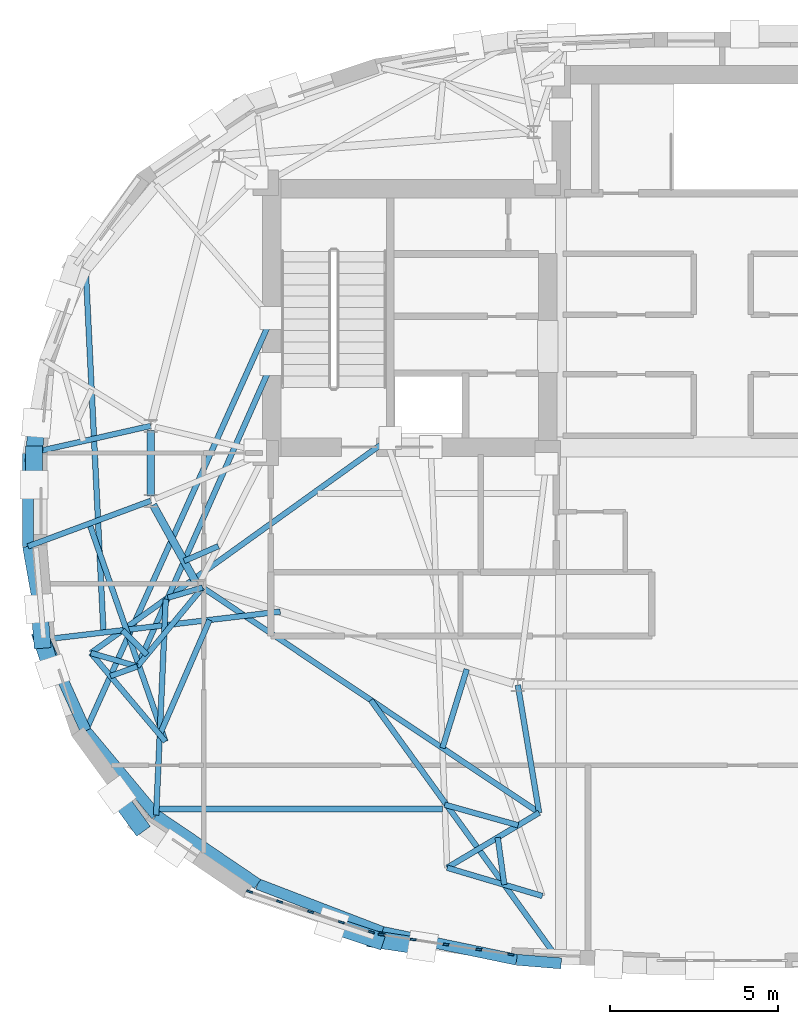
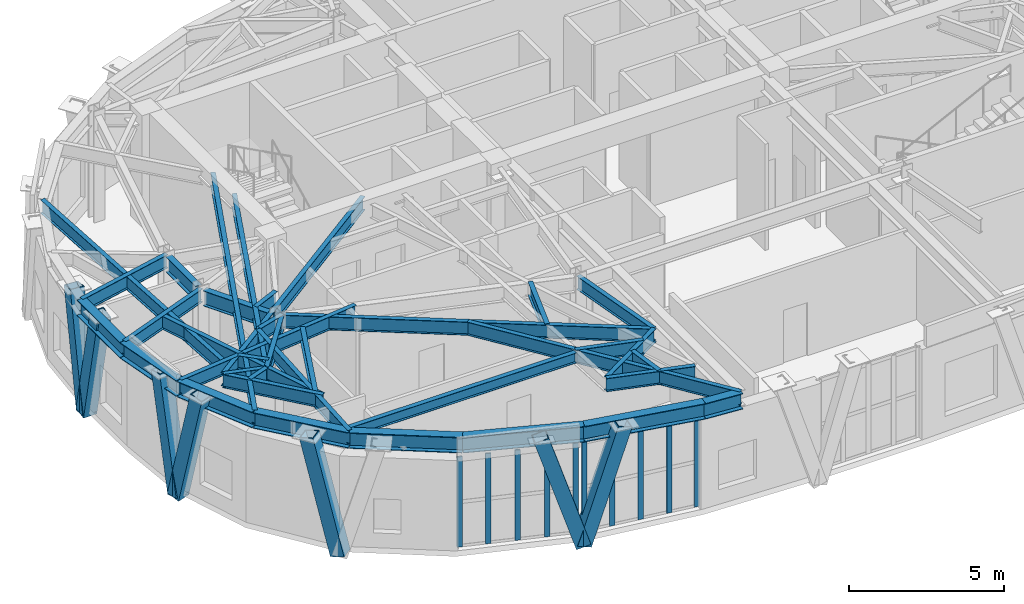
# One storey, part 2 of 16: 36 beams, 17 members, 2 elements without a shape of their own.
"""IFC4 building model written with IfcOpenShell, lengths in metres."""

from ifc_helpers import new_model, si_unit, direction, frame, origin, origin_2d, place, context, subcontext, project, spatial, rectangle, hollow_rectangle, i_section, extrude, material, layer, layer_set, material_profile, profile_set, type_object, element, aggregate, save


model = new_model("IFC4")

# Units and contexts
model_context = context("Model", 3, precision=1e-05, world=origin(), true_north=direction((0.0, 1.0)))
body_context = subcontext(model_context, "Body", "Model", "MODEL_VIEW")
ifc_project = project(units=[si_unit("LENGTHUNIT", "METRE"), si_unit("AREAUNIT", "SQUARE_METRE"), si_unit("VOLUMEUNIT", "CUBIC_METRE"), si_unit("PLANEANGLEUNIT", "RADIAN"), si_unit("MASSUNIT", "GRAM", prefix="KILO")], contexts=[model_context])

# Site, building, storey
site_placement = place(None, origin())
site = spatial("IfcSite", under=ifc_project, at=site_placement, CompositionType="ELEMENT")
building_placement = place(site_placement, origin())
building = spatial("IfcBuilding", under=site, at=building_placement, Name="Keldmark Tower", CompositionType="ELEMENT")
storey_placement = place(building_placement, frame((0.0, 0.0, 264.800048828125)))
storey = spatial("IfcBuildingStorey", under=building, at=storey_placement, Name="L75", CompositionType="ELEMENT", Elevation=264.800048828125)

# Beam
ifc_material_1 = material(Name="Steel ASTM A992 Grade 50", Category="steel")
ifc_material_profile_1 = material_profile(ifc_material_1, i_section(OverallWidth=0.177978515625, OverallDepth=0.403076171875, WebThickness=0.007568359375, FlangeThickness=0.010986328125, at=origin_2d()), Name="W16X36")
ifc_profile_set_1 = profile_set([ifc_material_profile_1], Name="Steel ASTM A992 Grade 50")
beam_type_1 = type_object("IfcBeamType", Name="Composite Floor Joist W16X36", PredefinedType="JOIST", material=ifc_profile_set_1)
beam_1_placement = place(storey_placement, frame((-16.781982421875, -9.199951171875, 3.99853515625), z_axis=(1.0, 0.0, 0.0), x_axis=(0.0, 1.0, 0.0)))
element("IfcBeam", 1, at=beam_1_placement, inside=storey, type_object=beam_type_1, Name="L75 Composite Floor Joist J03", PredefinedType="JOIST", context=body_context, shape_type="SweptSolid", body=[
    extrude(i_section(OverallWidth=0.177978515625, OverallDepth=0.403076171875, WebThickness=0.007568359375, FlangeThickness=0.010986328125, at=origin_2d()), origin(), (0.0, 0.0, 1.0), 8.44140625),
])

# Curtain wall, members
ifc_material_2 = material(Name="Unitized Thermally Broken Aluminum and Triple Low-E Glazing", Category="aluminium")
ifc_layer = layer(ifc_material_2, 0.219970703125)
ifc_layer_set = layer_set([ifc_layer], Name="Unitized Thermally Broken Aluminum and Triple Low-E Glazing")
curtain_wall_type = type_object("IfcCurtainWallType", Name="Public Observation Lookout Curtain Wall System", PredefinedType="NOTDEFINED", material=ifc_layer_set)
curtain_wall_1_placement = place(storey_placement, origin())
curtain_wall_1 = element("IfcCurtainWall", 2, at=curtain_wall_1_placement, inside=storey, type_object=curtain_wall_type, Name="L75 Public Observation Lookout Curtain Wall System CW-L75-21", PredefinedType="NOTDEFINED")
ifc_material_3 = material(Name="Extruded Aluminum Alloy 6063-T6", Category="aluminium")
ifc_material_profile_2 = material_profile(ifc_material_3, rectangle(XDim=0.06005859375, YDim=0.179931640625, at=origin_2d()), Name="CWM60X180")
ifc_profile_set_2 = profile_set([ifc_material_profile_2], Name="Extruded Aluminum Alloy 6063-T6")
member_type_1 = type_object("IfcMemberType", Name="Curtain Wall Structural Mullion 60x180", PredefinedType="MULLION", material=ifc_profile_set_2)
member_1_placement = place(storey_placement, frame((-10.45263671875, -12.87890625, 0.0), z_axis=(0.0, 0.0, 1.0), x_axis=(-0.316776009076, -0.948500374314, 0.0)))
member_1 = element("IfcMember", 3, at=member_1_placement, type_object=member_type_1, Name="CW mullion 1", PredefinedType="MULLION", context=body_context, shape_type="SweptSolid", body=[
    extrude(rectangle(XDim=0.06005859375, YDim=0.179931640625, at=origin_2d()), origin(), (0.0, 0.0, 1.0), 3.56591796875),
])
member_2_placement = place(storey_placement, frame((-11.345458984375, -12.58056640625, 0.0), z_axis=(0.0, 0.0, 1.0), x_axis=(-0.316776009076, -0.948500374314, 0.0)))
member_2 = element("IfcMember", 4, at=member_2_placement, type_object=member_type_1, Name="CW mullion 2", PredefinedType="MULLION", context=body_context, shape_type="SweptSolid", body=[
    extrude(rectangle(XDim=0.06005859375, YDim=0.179931640625, at=origin_2d()), origin(), (0.0, 0.0, 1.0), 3.56591796875),
])
member_3_placement = place(storey_placement, frame((-12.2666015625, -12.27294921875, 0.0), z_axis=(0.0, 0.0, 1.0), x_axis=(-0.316776009076, -0.948500374314, 0.0)))
member_3 = element("IfcMember", 5, at=member_3_placement, type_object=member_type_1, Name="CW mullion 3", PredefinedType="MULLION", context=body_context, shape_type="SweptSolid", body=[
    extrude(rectangle(XDim=0.06005859375, YDim=0.179931640625, at=origin_2d()), origin(), (0.0, 0.0, 1.0), 3.56591796875),
])
member_4_placement = place(storey_placement, frame((-13.187744140625, -11.96533203125, 0.0), z_axis=(0.0, 0.0, 1.0), x_axis=(-0.316776009076, -0.948500374314, 0.0)))
member_4 = element("IfcMember", 6, at=member_4_placement, type_object=member_type_1, Name="CW mullion 4", PredefinedType="MULLION", context=body_context, shape_type="SweptSolid", body=[
    extrude(rectangle(XDim=0.06005859375, YDim=0.179931640625, at=origin_2d()), origin(), (0.0, 0.0, 1.0), 3.56591796875),
])
member_5_placement = place(storey_placement, frame((-14.08056640625, -11.667236328125, 0.0), z_axis=(0.0, 0.0, 1.0), x_axis=(-0.316776009076, -0.948500374314, 0.0)))
member_5 = element("IfcMember", 7, at=member_5_placement, type_object=member_type_1, Name="CW mullion 5", PredefinedType="MULLION", context=body_context, shape_type="SweptSolid", body=[
    extrude(rectangle(XDim=0.06005859375, YDim=0.179931640625, at=origin_2d()), origin(), (0.0, 0.0, 1.0), 3.56591796875),
])
aggregate(curtain_wall_1, [member_1, member_2, member_3, member_4, member_5])

curtain_wall_2_placement = place(storey_placement, origin())
curtain_wall_2 = element("IfcCurtainWall", 8, at=curtain_wall_2_placement, inside=storey, type_object=curtain_wall_type, Name="L75 Public Observation Lookout Curtain Wall System CW-L75-22", PredefinedType="NOTDEFINED")
member_6_placement = place(storey_placement, frame((-6.300537109375, -13.5361328125, 0.0), z_axis=(0.0, 0.0, 1.0), x_axis=(-0.150337469177, -0.988634738092, 0.0)))
member_6 = element("IfcMember", 9, at=member_6_placement, type_object=member_type_1, Name="CW mullion 1", PredefinedType="MULLION", context=body_context, shape_type="SweptSolid", body=[
    extrude(rectangle(XDim=0.06005859375, YDim=0.179931640625, at=origin_2d()), origin(), (0.0, 0.0, 1.0), 3.56591796875),
])
member_7_placement = place(storey_placement, frame((-7.250732421875, -13.391845703125, 0.0), z_axis=(0.0, 0.0, 1.0), x_axis=(-0.150337469177, -0.988634738092, 0.0)))
member_7 = element("IfcMember", 10, at=member_7_placement, type_object=member_type_1, Name="CW mullion 2", PredefinedType="MULLION", context=body_context, shape_type="SweptSolid", body=[
    extrude(rectangle(XDim=0.06005859375, YDim=0.179931640625, at=origin_2d()), origin(), (0.0, 0.0, 1.0), 3.56591796875),
])
member_8_placement = place(storey_placement, frame((-8.23046875, -13.24267578125, 0.0), z_axis=(0.0, 0.0, 1.0), x_axis=(-0.150337469177, -0.988634738092, 0.0)))
member_8 = element("IfcMember", 11, at=member_8_placement, type_object=member_type_1, Name="CW mullion 3", PredefinedType="MULLION", context=body_context, shape_type="SweptSolid", body=[
    extrude(rectangle(XDim=0.06005859375, YDim=0.179931640625, at=origin_2d()), origin(), (0.0, 0.0, 1.0), 3.56591796875),
])
member_9_placement = place(storey_placement, frame((-9.2099609375, -13.09375, 0.0), z_axis=(0.0, 0.0, 1.0), x_axis=(-0.150337469177, -0.988634738092, 0.0)))
member_9 = element("IfcMember", 12, at=member_9_placement, type_object=member_type_1, Name="CW mullion 4", PredefinedType="MULLION", context=body_context, shape_type="SweptSolid", body=[
    extrude(rectangle(XDim=0.06005859375, YDim=0.179931640625, at=origin_2d()), origin(), (0.0, 0.0, 1.0), 3.56591796875),
])
member_10_placement = place(storey_placement, frame((-10.16015625, -12.94921875, 0.0), z_axis=(0.0, 0.0, 1.0), x_axis=(-0.150337469177, -0.988634738092, 0.0)))
member_10 = element("IfcMember", 13, at=member_10_placement, type_object=member_type_1, Name="CW mullion 5", PredefinedType="MULLION", context=body_context, shape_type="SweptSolid", body=[
    extrude(rectangle(XDim=0.06005859375, YDim=0.179931640625, at=origin_2d()), origin(), (0.0, 0.0, 1.0), 3.56591796875),
])
aggregate(curtain_wall_2, [member_6, member_7, member_8, member_9, member_10])

# Members
ifc_material_4 = material(Name="Steel ASTM A572 Grade 50", Category="steel")
ifc_material_profile_3 = material_profile(ifc_material_4, hollow_rectangle(XDim=0.5, YDim=0.5, WallThickness=0.030029296875, at=origin_2d()), Name="BOX500X500X30")
ifc_profile_set_3 = profile_set([ifc_material_profile_3], Name="Steel ASTM A572 Grade 50")
member_type_2 = type_object("IfcMemberType", Name="Diagrid Upper Brace BOX500X500X30", PredefinedType="BRACE", material=ifc_profile_set_3)
member_11_placement = place(storey_placement, frame((-20.50390625, 1.35546875, -0.300048828125), z_axis=(0.017549855545, 0.20890868417, 0.977777666061), x_axis=(-0.996489953862, 0.083712435467, 0.0)))
element("IfcMember", 14, at=member_11_placement, inside=storey, type_object=member_type_2, Name="L75 Perimeter Diagrid Brace 08A", PredefinedType="BRACE", context=body_context, shape_type="SweptSolid", body=[
    extrude(hollow_rectangle(XDim=0.5, YDim=0.5, WallThickness=0.030029296875, at=origin_2d()), origin(), (0.0, 0.0, 1.0), 4.4794921875),
])
member_12_placement = place(storey_placement, frame((-20.50146484375, 1.366943359375, -0.300048828125), z_axis=(0.0, -0.204555585625, 0.978854949617), x_axis=(1.0, 0.0, 0.0)))
element("IfcMember", 15, at=member_12_placement, inside=storey, type_object=member_type_2, Name="L75 Perimeter Diagrid Brace 08B", PredefinedType="BRACE", context=body_context, shape_type="SweptSolid", body=[
    extrude(hollow_rectangle(XDim=0.5, YDim=0.5, WallThickness=0.030029296875, at=origin_2d()), origin(), (0.0, 0.0, 1.0), 4.474609375),
])
member_13_placement = place(storey_placement, frame((-20.265869140625, -4.174072265625, -0.300048828125), z_axis=(-0.017549855545, 0.20890868417, 0.977777666061), x_axis=(-0.996489953862, -0.083712435467, 0.0)))
element("IfcMember", 16, at=member_13_placement, inside=storey, type_object=member_type_2, Name="L75 Perimeter Diagrid Brace 09A", PredefinedType="BRACE", context=body_context, shape_type="SweptSolid", body=[
    extrude(hollow_rectangle(XDim=0.5, YDim=0.5, WallThickness=0.030029296875, at=origin_2d()), origin(), (0.0, 0.0, 1.0), 4.4794921875),
])
member_14_placement = place(storey_placement, frame((-20.26806640625, -4.16259765625, -0.300048828125), z_axis=(0.069835665886, -0.211028708665, 0.974981981315), x_axis=(0.949365654969, 0.314173285252, 0.0)))
element("IfcMember", 17, at=member_14_placement, inside=storey, type_object=member_type_2, Name="L75 Perimeter Diagrid Brace 09B", PredefinedType="BRACE", context=body_context, shape_type="SweptSolid", body=[
    extrude(hollow_rectangle(XDim=0.5, YDim=0.5, WallThickness=0.030029296875, at=origin_2d()), origin(), (0.0, 0.0, 1.0), 4.4921875),
])
member_15_placement = place(storey_placement, frame((-17.3857421875, -9.673828125, -0.300048828125), z_axis=(-0.143564574241, 0.197617501289, 0.969709511249), x_axis=(-0.809042194464, -0.587750565781, 0.0)))
element("IfcMember", 18, at=member_15_placement, inside=storey, type_object=member_type_2, Name="L75 Perimeter Diagrid Brace 10A", PredefinedType="BRACE", context=body_context, shape_type="SweptSolid", body=[
    extrude(hollow_rectangle(XDim=0.5, YDim=0.5, WallThickness=0.030029296875, at=origin_2d()), origin(), (0.0, 0.0, 1.0), 4.5166015625),
])
member_16_placement = place(storey_placement, frame((-10.322998046875, -13.094970703125, -0.300048828125), z_axis=(-0.286614020453, 0.095697413948, 0.95325463977), x_axis=(-0.316702516416, -0.948524915907, 0.0)))
element("IfcMember", 19, at=member_16_placement, inside=storey, type_object=member_type_2, Name="L75 Perimeter Diagrid Brace 11A", PredefinedType="BRACE", context=body_context, shape_type="SweptSolid", body=[
    extrude(hollow_rectangle(XDim=0.5, YDim=0.5, WallThickness=0.030029296875, at=origin_2d()), origin(), (0.0, 0.0, 1.0), 4.5947265625),
])
member_17_placement = place(storey_placement, frame((-10.3330078125, -13.08837890625, -0.300048828125), z_axis=(0.303882465581, -0.046200318995, 0.951588659893), x_axis=(0.150306332769, 0.988639472371, 0.0)))
element("IfcMember", 20, at=member_17_placement, inside=storey, type_object=member_type_2, Name="L75 Perimeter Diagrid Brace 11B", PredefinedType="BRACE", context=body_context, shape_type="SweptSolid", body=[
    extrude(hollow_rectangle(XDim=0.5, YDim=0.5, WallThickness=0.030029296875, at=origin_2d()), origin(), (0.0, 0.0, 1.0), 4.602783203125),
])

# Beams
ifc_material_5 = material(Name="Steel ASTM A992 Grade 50", Category="steel")
ifc_material_profile_4 = material_profile(ifc_material_5, i_section(OverallWidth=0.22802734375, OverallDepth=0.60302734375, WebThickness=0.010498046875, FlangeThickness=0.014892578125, at=origin_2d()), Name="W24X68")
ifc_profile_set_4 = profile_set([ifc_material_profile_4], Name="Steel ASTM A992 Grade 50")
beam_type_2 = type_object("IfcBeamType", Name="Primary Floor Girder W24X68", PredefinedType="BEAM", material=ifc_profile_set_4)
beam_2_placement = place(storey_placement, frame((-17.025634765625, 2.068115234375, 3.8984375), z_axis=(0.0, -1.0, 0.0), x_axis=(1.0, 0.0, 0.0)))
element("IfcBeam", 21, at=beam_2_placement, inside=storey, type_object=beam_type_2, Name="L75 Floor Ring Girder FG-R06", PredefinedType="BEAM", context=body_context, shape_type="SweptSolid", body=[
    extrude(i_section(OverallWidth=0.22802734375, OverallDepth=0.60302734375, WebThickness=0.010498046875, FlangeThickness=0.014892578125, at=origin_2d()), origin(), (0.0, 0.0, 1.0), 1.9521484375),
])
beam_3_placement = place(storey_placement, frame((-16.957763671875, -0.146484375, 3.8984375), z_axis=(0.484719680408, -0.874669555561, 0.0), x_axis=(0.874669555561, 0.484719680408, 0.0)))
element("IfcBeam", 22, at=beam_3_placement, inside=storey, type_object=beam_type_2, Name="L75 Floor Ring Girder FG-R07", PredefinedType="BEAM", context=body_context, shape_type="SweptSolid", body=[
    extrude(i_section(OverallWidth=0.22802734375, OverallDepth=0.60302734375, WebThickness=0.010498046875, FlangeThickness=0.014892578125, at=origin_2d()), origin(), (0.0, 0.0, 1.0), 2.627685546875),
])
ifc_material_6 = material(Name="Steel ASTM A992 Grade 50", Category="steel")
ifc_material_profile_5 = material_profile(ifc_material_6, i_section(OverallWidth=0.166015625, OverallDepth=0.529052734375, WebThickness=0.009765625, FlangeThickness=0.013671875, at=origin_2d()), Name="W21X50")
ifc_profile_set_5 = profile_set([ifc_material_profile_5], Name="Steel ASTM A992 Grade 50")
beam_type_3 = type_object("IfcBeamType", Name="Radial Tie Girder W21X50", PredefinedType="BEAM", material=ifc_profile_set_5)
beam_4_placement = place(storey_placement, frame((-15.010498046875, -1.37548828125, 3.935546875), z_axis=(-0.917491581724, -0.397755197911, 0.0), x_axis=(0.397755197911, -0.917491581724, 0.0)))
element("IfcBeam", 23, at=beam_4_placement, inside=storey, type_object=beam_type_3, Name="L75 Framing Pin Header PH-013", PredefinedType="BEAM", context=body_context, shape_type="SweptSolid", body=[
    extrude(i_section(OverallWidth=0.166015625, OverallDepth=0.529052734375, WebThickness=0.009765625, FlangeThickness=0.013671875, at=origin_2d()), origin(), (0.0, 0.0, 1.0), 1.11279296875),
])
beam_5_placement = place(storey_placement, frame((-13.425048828125, 4.050048828125, 3.935546875), z_axis=(-0.405927069941, -0.913905473169, 0.0), x_axis=(0.913905473169, -0.405927069941, 0.0)))
element("IfcBeam", 24, at=beam_5_placement, inside=storey, type_object=beam_type_3, Name="L75 Intermediate Radial Step Girder CRT-W05M", PredefinedType="BEAM", context=body_context, shape_type="SweptSolid", body=[
    extrude(i_section(OverallWidth=0.166015625, OverallDepth=0.529052734375, WebThickness=0.009765625, FlangeThickness=0.013671875, at=origin_2d()), origin(), (0.0, 0.0, 1.0), 9.85888671875),
])
beam_6_placement = place(storey_placement, frame((-15.482421875, -2.60888671875, 3.935546875), z_axis=(-0.637346606581, -0.770577253155, 0.0), x_axis=(0.770577253155, -0.637346606581, 0.0)))
element("IfcBeam", 25, at=beam_6_placement, inside=storey, type_object=beam_type_3, Name="L75 Local Collector Chord CRT-W05C", PredefinedType="BEAM", context=body_context, shape_type="SweptSolid", body=[
    extrude(i_section(OverallWidth=0.166015625, OverallDepth=0.529052734375, WebThickness=0.009765625, FlangeThickness=0.013671875, at=origin_2d()), origin(), (0.0, 0.0, 1.0), 3.051025390625),
])
beam_7_placement = place(storey_placement, frame((-15.482421875, -2.60888671875, 3.935546875), z_axis=(-0.959865412976, -0.280461029328, 0.0), x_axis=(0.280461029328, -0.959865412976, 0.0)))
element("IfcBeam", 26, at=beam_7_placement, inside=storey, type_object=beam_type_3, Name="L75 Framing Pin Header PH-014", PredefinedType="BEAM", context=body_context, shape_type="SweptSolid", body=[
    extrude(i_section(OverallWidth=0.166015625, OverallDepth=0.529052734375, WebThickness=0.009765625, FlangeThickness=0.013671875, at=origin_2d()), origin(), (0.0, 0.0, 1.0), 1.07763671875),
])
beam_8_placement = place(storey_placement, frame((-9.889892578125, 1.85009765625, 3.935546875), z_axis=(-0.812130594817, -0.583475703832, 0.0), x_axis=(0.583475703832, -0.812130594817, 0.0)))
element("IfcBeam", 27, at=beam_8_placement, inside=storey, type_object=beam_type_3, Name="L75 Intermediate Radial Step Girder CRT-W06M", PredefinedType="BEAM", context=body_context, shape_type="SweptSolid", body=[
    extrude(i_section(OverallWidth=0.166015625, OverallDepth=0.529052734375, WebThickness=0.009765625, FlangeThickness=0.013671875, at=origin_2d()), origin(), (0.0, 0.0, 1.0), 10.9814453125),
])
beam_9_placement = place(storey_placement, frame((-17.427001953125, -4.9599609375, 3.935546875), z_axis=(-0.960056993028, 0.279804521298, 0.0), x_axis=(-0.279804521298, -0.960056993028, 0.0)))
element("IfcBeam", 28, at=beam_9_placement, inside=storey, type_object=beam_type_3, Name="L75 Local Collector Chord CRT-W06C", PredefinedType="BEAM", context=body_context, shape_type="SweptSolid", body=[
    extrude(i_section(OverallWidth=0.166015625, OverallDepth=0.529052734375, WebThickness=0.009765625, FlangeThickness=0.013671875, at=origin_2d()), origin(), (0.0, 0.0, 1.0), 1.438720703125),
])
beam_10_placement = place(storey_placement, frame((-17.13525390625, -4.607421875, 3.935546875), z_axis=(-0.70852667002, 0.705684035436, 0.0), x_axis=(-0.705684035436, -0.70852667002, 0.0)))
element("IfcBeam", 29, at=beam_10_placement, inside=storey, type_object=beam_type_3, Name="L75 Framing Pin Header PH-015", PredefinedType="BEAM", context=body_context, shape_type="SweptSolid", body=[
    extrude(i_section(OverallWidth=0.166015625, OverallDepth=0.529052734375, WebThickness=0.009765625, FlangeThickness=0.013671875, at=origin_2d()), origin(), (0.0, 0.0, 1.0), 1.030517578125),
])
beam_11_placement = place(storey_placement, frame((-13.16748046875, -3.324462890625, 3.935546875), z_axis=(-0.993081851859, -0.117424169182, 0.0), x_axis=(0.117424169182, -0.993081851859, 0.0)))
element("IfcBeam", 30, at=beam_11_placement, inside=storey, type_object=beam_type_3, Name="L75 Perimeter Radial Tie Girder CRT-W06", PredefinedType="BEAM", context=body_context, shape_type="SweptSolid", body=[
    extrude(i_section(OverallWidth=0.166015625, OverallDepth=0.529052734375, WebThickness=0.009765625, FlangeThickness=0.013671875, at=origin_2d()), origin(), (0.0, 0.0, 1.0), 7.071044921875),
])
beam_12_placement = place(storey_placement, frame((-17.025634765625, -0.02392578125, 3.935546875), z_axis=(-0.937443365906, -0.348137811389, 0.0), x_axis=(0.348137811389, -0.937443365906, 0.0)))
element("IfcBeam", 31, at=beam_12_placement, inside=storey, type_object=beam_type_3, Name="L75 Perimeter Column Bracket CRT-W07", PredefinedType="BEAM", context=body_context, shape_type="SweptSolid", body=[
    extrude(i_section(OverallWidth=0.166015625, OverallDepth=0.529052734375, WebThickness=0.009765625, FlangeThickness=0.013671875, at=origin_2d()), origin(), (0.0, 0.0, 1.0), 3.900390625),
])
beam_13_placement = place(storey_placement, frame((-17.025634765625, 2.2080078125, 3.935546875), z_axis=(-0.975411653885, -0.220390801679, 0.0), x_axis=(0.220390801679, -0.975411653885, 0.0)))
element("IfcBeam", 32, at=beam_13_placement, inside=storey, type_object=beam_type_3, Name="L75 Perimeter Column Bracket CRT-W08", PredefinedType="BEAM", context=body_context, shape_type="SweptSolid", body=[
    extrude(i_section(OverallWidth=0.166015625, OverallDepth=0.529052734375, WebThickness=0.009765625, FlangeThickness=0.013671875, at=origin_2d()), origin(), (0.0, 0.0, 1.0), 3.748779296875),
])
beam_14_placement = place(storey_placement, frame((-18.434326171875, -3.947265625, 3.935546875), z_axis=(-0.04877682551, 0.998809702242, 0.0), x_axis=(-0.998809702242, -0.04877682551, 0.0)))
element("IfcBeam", 33, at=beam_14_placement, inside=storey, type_object=beam_type_3, Name="L75 Perimeter Radial Tie Girder CRT-W10", PredefinedType="BEAM", context=body_context, shape_type="SweptSolid", body=[
    extrude(i_section(OverallWidth=0.166015625, OverallDepth=0.529052734375, WebThickness=0.009765625, FlangeThickness=0.013671875, at=origin_2d()), origin(), (0.0, 0.0, 1.0), 10.83642578125),
])
beam_15_placement = place(storey_placement, frame((-6.089599609375, -5.512939453125, 3.935546875), z_axis=(0.164398987305, -0.986393923832, 0.0), x_axis=(0.986393923832, 0.164398987305, 0.0)))
element("IfcBeam", 34, at=beam_15_placement, inside=storey, type_object=beam_type_3, Name="L75 Column Step Bracket CRT-W01RS", PredefinedType="BEAM", context=body_context, shape_type="SweptSolid", body=[
    extrude(i_section(OverallWidth=0.166015625, OverallDepth=0.529052734375, WebThickness=0.009765625, FlangeThickness=0.013671875, at=origin_2d()), origin(), (0.0, 0.0, 1.0), 3.855224609375),
])
beam_16_placement = place(storey_placement, frame((-5.455810546875, -9.315673828125, 3.935546875), z_axis=(-0.83119304015, 0.55598392963, 0.0), x_axis=(-0.55598392963, -0.83119304015, 0.0)))
element("IfcBeam", 35, at=beam_16_placement, inside=storey, type_object=beam_type_3, Name="L75 Column Step Chord CRT-W01RK", PredefinedType="BEAM", context=body_context, shape_type="SweptSolid", body=[
    extrude(i_section(OverallWidth=0.166015625, OverallDepth=0.529052734375, WebThickness=0.009765625, FlangeThickness=0.013671875, at=origin_2d()), origin(), (0.0, 0.0, 1.0), 12.06298828125),
])
beam_17_placement = place(storey_placement, frame((-7.6123046875, -5.0419921875, 3.935546875), z_axis=(-0.294735405091, -0.95557890359, 0.0), x_axis=(0.95557890359, -0.294735405091, 0.0)))
element("IfcBeam", 36, at=beam_17_placement, inside=storey, type_object=beam_type_3, Name="L75 Framing Pin Header PH-020", PredefinedType="BEAM", context=body_context, shape_type="SweptSolid", body=[
    extrude(i_section(OverallWidth=0.166015625, OverallDepth=0.529052734375, WebThickness=0.009765625, FlangeThickness=0.013671875, at=origin_2d()), origin(), (0.0, 0.0, 1.0), 2.4560546875),
])
beam_18_placement = place(storey_placement, frame((-8.197021484375, -10.955078125, 3.935546875), z_axis=(0.858227188085, 0.513270000712, 0.0), x_axis=(-0.513270000712, 0.858227188085, 0.0)))
element("IfcBeam", 37, at=beam_18_placement, inside=storey, type_object=beam_type_3, Name="L75 Crown Step Collector Chord CRT-W02RP1", PredefinedType="BEAM", context=body_context, shape_type="SweptSolid", body=[
    extrude(i_section(OverallWidth=0.166015625, OverallDepth=0.529052734375, WebThickness=0.009765625, FlangeThickness=0.013671875, at=origin_2d()), origin(), (0.0, 0.0, 1.0), 3.194091796875),
])
beam_19_placement = place(storey_placement, frame((-18.85400390625, -0.702880859375, 3.935546875), z_axis=(0.329396452044, -0.944191705842, 0.0), x_axis=(0.944191705842, 0.329396452044, 0.0)))
element("IfcBeam", 38, at=beam_19_placement, inside=storey, type_object=beam_type_3, Name="L75 Crown Step Radial Girder CRT-W04RN1", PredefinedType="BEAM", context=body_context, shape_type="SweptSolid", body=[
    extrude(i_section(OverallWidth=0.166015625, OverallDepth=0.529052734375, WebThickness=0.009765625, FlangeThickness=0.013671875, at=origin_2d()), origin(), (0.0, 0.0, 1.0), 6.875244140625),
])
beam_20_placement = place(storey_placement, frame((-16.58935546875, -7.1943359375, 3.935546875), z_axis=(-0.643863023255, 0.765140776122, 0.0), x_axis=(-0.765140776122, -0.643863023255, 0.0)))
element("IfcBeam", 39, at=beam_20_placement, inside=storey, type_object=beam_type_3, Name="L75 Crown Step Collector Chord CRT-W04RP1", PredefinedType="BEAM", context=body_context, shape_type="SweptSolid", body=[
    extrude(i_section(OverallWidth=0.166015625, OverallDepth=0.529052734375, WebThickness=0.009765625, FlangeThickness=0.013671875, at=origin_2d()), origin(), (0.0, 0.0, 1.0), 3.4462890625),
])
beam_21_placement = place(storey_placement, frame((-15.2744140625, -3.573486328125, 3.935546875), z_axis=(-0.398120154004, -0.917333278027, 0.0), x_axis=(0.917333278027, -0.398120154004, 0.0)))
element("IfcBeam", 40, at=beam_21_placement, inside=storey, type_object=beam_type_3, Name="L75 Framing Pin Header PH-021", PredefinedType="BEAM", context=body_context, shape_type="SweptSolid", body=[
    extrude(i_section(OverallWidth=0.166015625, OverallDepth=0.529052734375, WebThickness=0.009765625, FlangeThickness=0.013671875, at=origin_2d()), origin(), (0.0, 0.0, 1.0), 3.727783203125),
])
beam_22_placement = place(storey_placement, frame((-16.578857421875, -2.95556640625, 3.935546875), z_axis=(-0.044501496451, -0.999009317681, 0.0), x_axis=(0.999009317681, -0.044501496451, 0.0)))
element("IfcBeam", 41, at=beam_22_placement, inside=storey, type_object=beam_type_3, Name="L75 Perimeter Radial Tie Girder CRT-W04R", PredefinedType="BEAM", context=body_context, shape_type="SweptSolid", body=[
    extrude(i_section(OverallWidth=0.166015625, OverallDepth=0.529052734375, WebThickness=0.009765625, FlangeThickness=0.013671875, at=origin_2d()), origin(), (0.0, 0.0, 1.0), 6.440673828125),
])
beam_23_placement = place(storey_placement, frame((-17.427001953125, -4.9599609375, 3.935546875), z_axis=(-0.9418521352, -0.336027611097, 0.0), x_axis=(0.336027611097, -0.9418521352, 0.0)))
element("IfcBeam", 42, at=beam_23_placement, inside=storey, type_object=beam_type_3, Name="L75 Framing Pin Header PH-022", PredefinedType="BEAM", context=body_context, shape_type="SweptSolid", body=[
    extrude(i_section(OverallWidth=0.166015625, OverallDepth=0.529052734375, WebThickness=0.009765625, FlangeThickness=0.013671875, at=origin_2d()), origin(), (0.0, 0.0, 1.0), 0.8515625),
])
beam_24_placement = place(storey_placement, frame((-13.425048828125, 5.425048828125, 3.935546875), z_axis=(-0.410504636203, -0.911858510766, 0.0), x_axis=(0.911858510766, -0.410504636203, 0.0)))
element("IfcBeam", 43, at=beam_24_placement, inside=storey, type_object=beam_type_3, Name="L75 Perimeter Radial Tie Girder CRT-W05R", PredefinedType="BEAM", context=body_context, shape_type="SweptSolid", body=[
    extrude(i_section(OverallWidth=0.166015625, OverallDepth=0.529052734375, WebThickness=0.009765625, FlangeThickness=0.013671875, at=origin_2d()), origin(), (0.0, 0.0, 1.0), 13.490234375),
])
beam_25_placement = place(storey_placement, frame((-8.2705078125, -9.07568359375, 3.935546875), z_axis=(0.962802115625, -0.270207487218, 0.0), x_axis=(0.270207487218, 0.962802115625, 0.0)))
element("IfcBeam", 44, at=beam_25_placement, inside=storey, type_object=beam_type_3, Name="L75 Framing Pin Header PH-024", PredefinedType="BEAM", context=body_context, shape_type="SweptSolid", body=[
    extrude(i_section(OverallWidth=0.166015625, OverallDepth=0.529052734375, WebThickness=0.009765625, FlangeThickness=0.013671875, at=origin_2d()), origin(), (0.0, 0.0, 1.0), 2.273193359375),
])
beam_26_placement = place(storey_placement, frame((-5.360107421875, -11.796875, 3.935546875), z_axis=(-0.958684842068, 0.284470338679, 0.0), x_axis=(-0.284470338679, -0.958684842068, 0.0)))
element("IfcBeam", 45, at=beam_26_placement, inside=storey, type_object=beam_type_3, Name="L75 Crown Step Collector Chord CRT-W16RP1", PredefinedType="BEAM", context=body_context, shape_type="SweptSolid", body=[
    extrude(i_section(OverallWidth=0.166015625, OverallDepth=0.529052734375, WebThickness=0.009765625, FlangeThickness=0.013671875, at=origin_2d()), origin(), (0.0, 0.0, 1.0), 2.959228515625),
])
beam_27_placement = place(storey_placement, frame((-6.689453125, -10.053466796875, 3.935546875), z_axis=(0.137015517908, -0.990568901113, 0.0), x_axis=(0.990568901113, 0.137015517908, 0.0)))
element("IfcBeam", 46, at=beam_27_placement, inside=storey, type_object=beam_type_3, Name="L75 Framing Pin Header PH-025", PredefinedType="BEAM", context=body_context, shape_type="SweptSolid", body=[
    extrude(i_section(OverallWidth=0.166015625, OverallDepth=0.529052734375, WebThickness=0.009765625, FlangeThickness=0.013671875, at=origin_2d()), origin(), (0.0, 0.0, 1.0), 1.420166015625),
])
beam_28_placement = place(storey_placement, frame((-10.468994140625, -5.962158203125, 3.935546875), z_axis=(0.585811061321, -0.810447654345, 0.0), x_axis=(0.810447654345, 0.585811061321, 0.0)))
element("IfcBeam", 47, at=beam_28_placement, inside=storey, type_object=beam_type_3, Name="L75 Perimeter Radial Tie Girder CRT-W16R", PredefinedType="BEAM", context=body_context, shape_type="SweptSolid", body=[
    extrude(i_section(OverallWidth=0.166015625, OverallDepth=0.529052734375, WebThickness=0.009765625, FlangeThickness=0.013671875, at=origin_2d()), origin(), (0.0, 0.0, 1.0), 9.677001953125),
])
ifc_material_7 = material(Name="Steel ASTM A992 Grade 50", Category="steel")
ifc_material_profile_6 = material_profile(ifc_material_7, i_section(OverallWidth=0.326904296875, OverallDepth=0.6220703125, WebThickness=0.015380859375, FlangeThickness=0.0244140625, at=origin_2d()), Name="W24X131")
ifc_profile_set_6 = profile_set([ifc_material_profile_6], Name="Steel ASTM A992 Grade 50")
beam_type_4 = type_object("IfcBeamType", Name="Spandrel Ring Beam W24X131", PredefinedType="SPANDREL", material=ifc_profile_set_6)
beam_29_placement = place(storey_placement, frame((-6.12451171875, -13.69677734375, 3.888916015625), z_axis=(-0.97914815327, 0.203147468474, 0.0), x_axis=(-0.203147468474, -0.97914815327, 0.0)))
element("IfcBeam", 48, at=beam_29_placement, inside=storey, type_object=beam_type_4, Name="L75 Crown Spandrel Ring Beam CRB-W01", PredefinedType="SPANDREL", context=body_context, shape_type="SweptSolid", body=[
    extrude(i_section(OverallWidth=0.326904296875, OverallDepth=0.6220703125, WebThickness=0.015380859375, FlangeThickness=0.0244140625, at=origin_2d()), origin(), (0.0, 0.0, 1.0), 4.096923828125),
])
beam_30_placement = place(storey_placement, frame((-10.135986328125, -12.864501953125, 3.888916015625), z_axis=(-0.933508802276, 0.358554481317, 0.0), x_axis=(-0.358554481317, -0.933508802276, 0.0)))
element("IfcBeam", 49, at=beam_30_placement, inside=storey, type_object=beam_type_4, Name="L75 Crown Spandrel Ring Beam CRB-W02", PredefinedType="SPANDREL", context=body_context, shape_type="SweptSolid", body=[
    extrude(i_section(OverallWidth=0.326904296875, OverallDepth=0.6220703125, WebThickness=0.015380859375, FlangeThickness=0.0244140625, at=origin_2d()), origin(), (0.0, 0.0, 1.0), 3.968994140625),
])
beam_31_placement = place(storey_placement, frame((-13.841064453125, -11.44140625, 3.888916015625), z_axis=(-0.827573313879, 0.561357649058, 0.0), x_axis=(-0.561357649058, -0.827573313879, 0.0)))
element("IfcBeam", 50, at=beam_31_placement, inside=storey, type_object=beam_type_4, Name="L75 Crown Spandrel Ring Beam CRB-W03", PredefinedType="SPANDREL", context=body_context, shape_type="SweptSolid", body=[
    extrude(i_section(OverallWidth=0.326904296875, OverallDepth=0.6220703125, WebThickness=0.015380859375, FlangeThickness=0.0244140625, at=origin_2d()), origin(), (0.0, 0.0, 1.0), 3.654541015625),
])
beam_32_placement = place(storey_placement, frame((-16.865478515625, -9.389892578125, 3.888916015625), z_axis=(-0.640668394671, 0.767817691949, 0.0), x_axis=(-0.767817691949, -0.640668394671, 0.0)))
element("IfcBeam", 51, at=beam_32_placement, inside=storey, type_object=beam_type_4, Name="L75 Crown Spandrel Ring Beam CRB-W04", PredefinedType="SPANDREL", context=body_context, shape_type="SweptSolid", body=[
    extrude(i_section(OverallWidth=0.326904296875, OverallDepth=0.6220703125, WebThickness=0.015380859375, FlangeThickness=0.0244140625, at=origin_2d()), origin(), (0.0, 0.0, 1.0), 3.273681640625),
])
beam_33_placement = place(storey_placement, frame((-18.962890625, -6.876220703125, 3.888916015625), z_axis=(-0.410966493749, 0.91165044892, 0.0), x_axis=(-0.91165044892, -0.410966493749, 0.0)))
element("IfcBeam", 52, at=beam_33_placement, inside=storey, type_object=beam_type_4, Name="L75 Crown Spandrel Ring Beam CRB-W05", PredefinedType="SPANDREL", context=body_context, shape_type="SweptSolid", body=[
    extrude(i_section(OverallWidth=0.326904296875, OverallDepth=0.6220703125, WebThickness=0.015380859375, FlangeThickness=0.0244140625, at=origin_2d()), origin(), (0.0, 0.0, 1.0), 2.985107421875),
])
beam_34_placement = place(storey_placement, frame((-20.189697265625, -4.15478515625, 3.888916015625), z_axis=(-0.174848462166, 0.984595356112, 0.0), x_axis=(-0.984595356112, -0.174848462166, 0.0)))
element("IfcBeam", 53, at=beam_34_placement, inside=storey, type_object=beam_type_4, Name="L75 Crown Spandrel Ring Beam CRB-W06", PredefinedType="SPANDREL", context=body_context, shape_type="SweptSolid", body=[
    extrude(i_section(OverallWidth=0.326904296875, OverallDepth=0.6220703125, WebThickness=0.015380859375, FlangeThickness=0.0244140625, at=origin_2d()), origin(), (0.0, 0.0, 1.0), 2.81640625),
])
beam_35_placement = place(storey_placement, frame((-20.68212890625, -1.3818359375, 3.888916015625), z_axis=(0.0, 1.0, 0.0), x_axis=(-1.0, 0.0, 0.0)))
element("IfcBeam", 54, at=beam_35_placement, inside=storey, type_object=beam_type_4, Name="L75 Crown Spandrel Ring Beam CRB-W07", PredefinedType="SPANDREL", context=body_context, shape_type="SweptSolid", body=[
    extrude(i_section(OverallWidth=0.326904296875, OverallDepth=0.6220703125, WebThickness=0.015380859375, FlangeThickness=0.0244140625, at=origin_2d()), origin(), (0.0, 0.0, 1.0), 2.763671875),
])
beam_36_placement = place(storey_placement, frame((-4.800048828125, -13.804931640625, 3.888916015625), z_axis=(-0.996682487154, 0.081388081439, 0.0), x_axis=(-0.081388081439, -0.996682487154, 0.0)))
element("IfcBeam", 55, at=beam_36_placement, inside=storey, type_object=beam_type_4, Name="L75 Crown Spandrel Ring Beam CRB-W16", PredefinedType="SPANDREL", context=body_context, shape_type="SweptSolid", body=[
    extrude(i_section(OverallWidth=0.326904296875, OverallDepth=0.6220703125, WebThickness=0.015380859375, FlangeThickness=0.0244140625, at=origin_2d()), origin(), (0.0, 0.0, 1.0), 1.328857421875),
])

save(model, "model.ifc")
